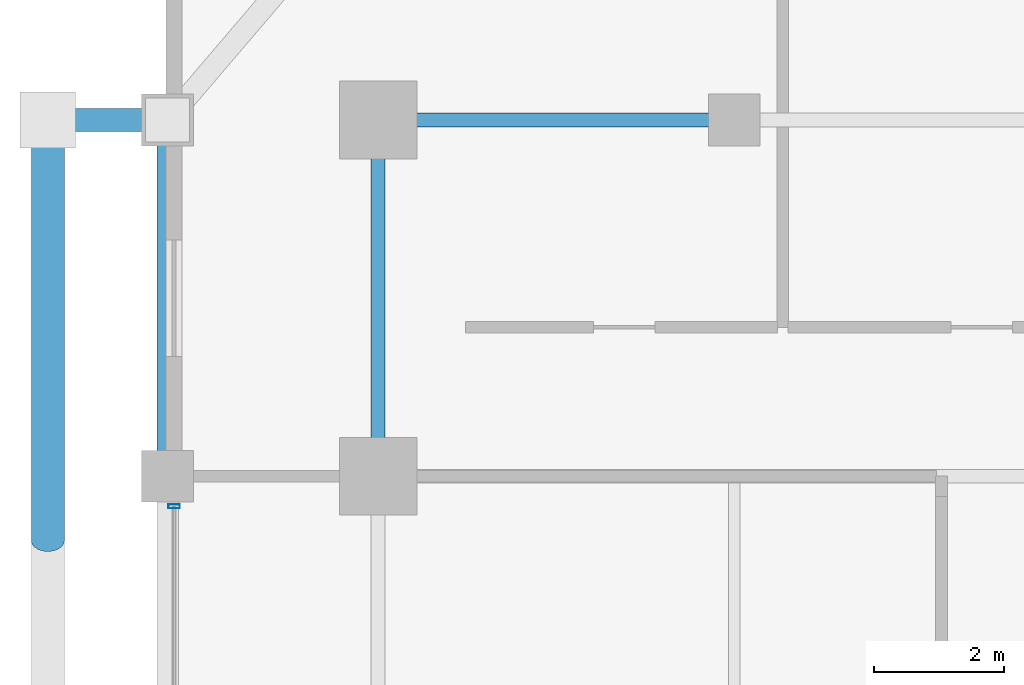
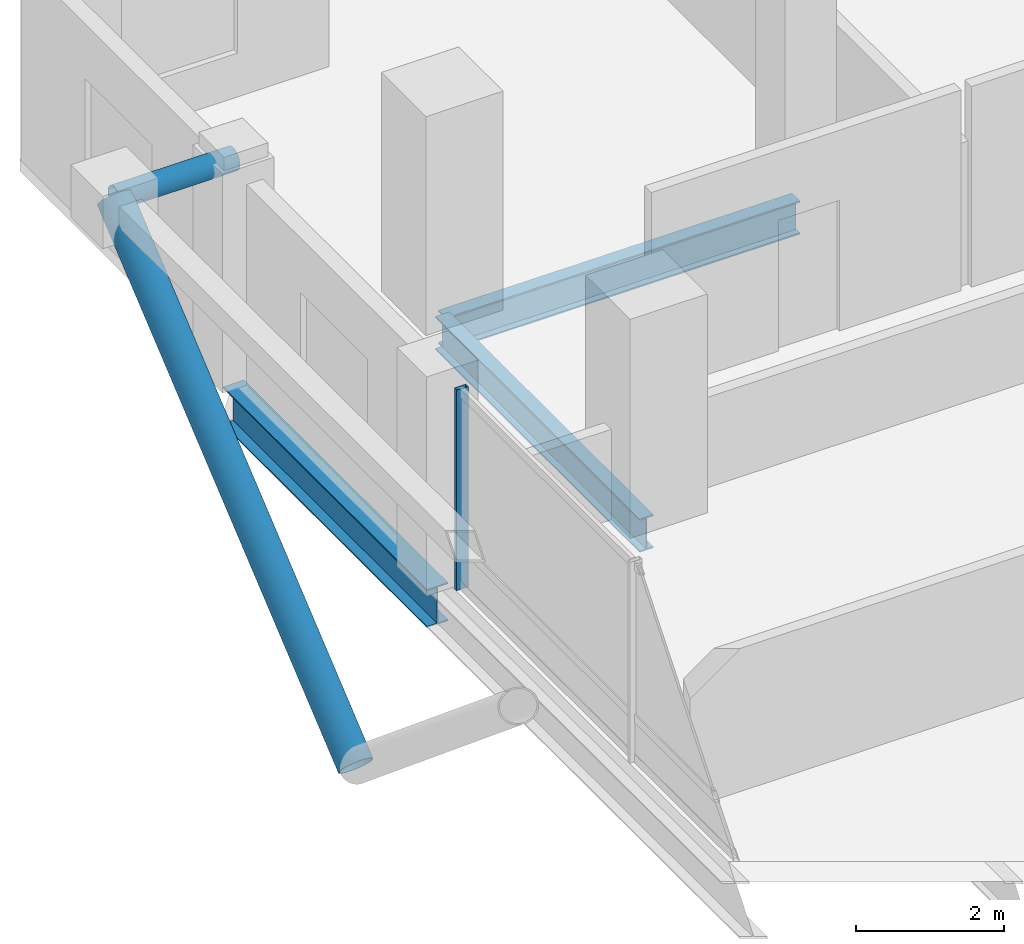
# One storey, part 12 of 25: 3 beams, 3 members, 1 element without a shape of its own.
"""IFC4 building model written with IfcOpenShell, lengths in metres."""

import ifcopenshell
import ifcopenshell.guid

model = None  # the IFC model being written
_history = None  # IfcOwnerHistory: only IFC2X3 demands one
_inside = {}  # id of a spatial element -> (the spatial element, [elements in it])
_under = {}  # id of a project, library or spatial element -> (it, [spatial elements below it])
_declared = {}  # id of a project -> (the project, [libraries it declares])
_typed = {}  # id of a type object -> (the type object, [elements of that type])
_made_of = {}  # id of a material, layer set ... -> (it, [elements and type objects made of it])


def new_model(schema):
    """Start an empty IFC model of exactly this schema.

    Asked for "IFC4X3", IfcOpenShell would pick the latest addendum, in which some entities
    have other attributes; the version numbers below select the first issue.
    IFC2X3 requires an IfcOwnerHistory on every rooted entity: one is made here for all.
    """
    global model, _history
    if schema == "IFC4X3":
        model = ifcopenshell.file(schema_version=(4, 3, 0, 0))
    else:
        model = ifcopenshell.file(schema=schema)
    _inside.clear()
    _under.clear()
    _declared.clear()
    _typed.clear()
    _made_of.clear()
    _history = None
    if model.schema == "IFC2X3":
        org = make("IfcOrganization", Name="unknown")
        user = make(
            "IfcPersonAndOrganization",
            ThePerson=make("IfcPerson", FamilyName="unknown"),
            TheOrganization=org,
        )
        app = make(
            "IfcApplication",
            ApplicationDeveloper=org,
            Version="unknown",
            ApplicationFullName="unknown",
            ApplicationIdentifier="unknown",
        )
        _history = make(
            "IfcOwnerHistory",
            OwningUser=user,
            OwningApplication=app,
            ChangeAction="ADDED",
            CreationDate=0,
        )
    return model


def make(cls, **values):
    """One entity of the class cls with the attributes given. An attribute that is None is left unset."""
    return model.create_entity(
        cls, **{name: value for name, value in values.items() if value is not None}
    )


def rooted(cls, **values):
    """An entity with a GlobalId (a new one), such as an element, a storey or a relation."""
    return make(cls, GlobalId=ifcopenshell.guid.new(), OwnerHistory=_history, **values)


def si_unit(unit_type, name, prefix=None):
    """IfcSIUnit, for example si_unit("LENGTHUNIT", "METRE", prefix="MILLI")."""
    return make("IfcSIUnit", UnitType=unit_type, Prefix=prefix, Name=name)


def assignment(units):
    """IfcUnitAssignment: the units of a project."""
    return None if units is None else make("IfcUnitAssignment", Units=units)


def point(xyz):
    """IfcCartesianPoint."""
    return None if xyz is None else make("IfcCartesianPoint", Coordinates=xyz)


def direction(xyz):
    """IfcDirection."""
    return None if xyz is None else make("IfcDirection", DirectionRatios=xyz)


def frame(location, z_axis=None, x_axis=None):
    """IfcAxis2Placement3D, a coordinate frame: its origin and axes. An axis left out is left unset."""
    return make(
        "IfcAxis2Placement3D",
        Location=point(location),
        Axis=direction(z_axis),
        RefDirection=direction(x_axis),
    )


def frame_2d(location, x_axis=None):
    """IfcAxis2Placement2D, a coordinate frame in the plane: its origin and x axis."""
    return make(
        "IfcAxis2Placement2D", Location=point(location), RefDirection=direction(x_axis)
    )


def origin():
    """The frame at (0, 0, 0) with its axes left unset."""
    return frame((0.0, 0.0, 0.0))


def origin_2d():
    """The frame at (0, 0) in the plane with its x axis left unset."""
    return frame_2d((0.0, 0.0))


def place(relative_to, where):
    """IfcLocalPlacement: puts the frame where relative to a parent placement (None: the world)."""
    return make(
        "IfcLocalPlacement", PlacementRelTo=relative_to, RelativePlacement=where
    )


def context(
    kind, dimensions, precision=None, world=None, true_north=None, identifier=None
):
    """IfcGeometricRepresentationContext, for example the 3D "Model" context."""
    return make(
        "IfcGeometricRepresentationContext",
        ContextIdentifier=identifier,
        ContextType=kind,
        CoordinateSpaceDimension=dimensions,
        Precision=precision,
        WorldCoordinateSystem=world,
        TrueNorth=true_north,
    )


def subcontext(parent, identifier, kind, view, scale=None):
    """IfcGeometricRepresentationSubContext, for example "Body" below "Model"."""
    return make(
        "IfcGeometricRepresentationSubContext",
        ContextIdentifier=identifier,
        ContextType=kind,
        ParentContext=parent,
        TargetScale=scale,
        TargetView=view,
    )


def project(units=None, contexts=None):
    """IfcProject with its units and contexts."""
    return rooted(
        "IfcProject",
        Name="project",
        RepresentationContexts=contexts,
        UnitsInContext=assignment(units),
    )


def spatial(cls, under=None, at=None, **own):
    """A site, building, storey or space (cls), placed at a placement, below another one or the project."""
    s = rooted(cls, ObjectPlacement=at, **own)
    if under is not None:
        _under.setdefault(under.id(), (under, []))[1].append(s)
    return s


def profile(cls, at=None, kind="AREA", **sizes):
    """A parametric profile (cls). Its sizes go by their IFC names, for example OverallWidth=200.0."""
    return make(cls, ProfileType=kind, Position=at, **sizes)


def hollow_rectangle(**sizes):
    """IfcRectangleHollowProfileDef."""
    return profile("IfcRectangleHollowProfileDef", **sizes)


def hollow_circle(**sizes):
    """IfcCircleHollowProfileDef."""
    return profile("IfcCircleHollowProfileDef", **sizes)


def i_section(**sizes):
    """IfcIShapeProfileDef."""
    return profile("IfcIShapeProfileDef", **sizes)


def extrude(swept, where, along, depth):
    """IfcExtrudedAreaSolid: the profile swept, set in the frame where, extruded along a direction by depth."""
    return make(
        "IfcExtrudedAreaSolid",
        SweptArea=swept,
        Position=where,
        ExtrudedDirection=direction(along),
        Depth=depth,
    )


def shape(context_of_items, identifier, shape_type, items):
    """IfcShapeRepresentation: the items that make up one representation, for example the "Body"."""
    return make(
        "IfcShapeRepresentation",
        ContextOfItems=context_of_items,
        RepresentationIdentifier=identifier,
        RepresentationType=shape_type,
        Items=items,
    )


def material(Name=None, Category=None):
    """IfcMaterial."""
    return make("IfcMaterial", Name=Name, Category=Category)


def layer(
    of_material, thickness, ventilated=None, Name=None, Category=None, Priority=None
):
    """IfcMaterialLayer: one layer of a wall or slab, of a material (None: an air gap)."""
    return make(
        "IfcMaterialLayer",
        Material=of_material,
        LayerThickness=thickness,
        IsVentilated=ventilated,
        Name=Name,
        Category=Category,
        Priority=Priority,
    )


def layer_set(layers, Name=None):
    """IfcMaterialLayerSet."""
    return make("IfcMaterialLayerSet", MaterialLayers=layers, LayerSetName=Name)


def material_profile(
    of_material, cross_section, Name=None, Category=None, Priority=None
):
    """IfcMaterialProfile: a cross section and its material."""
    return make(
        "IfcMaterialProfile",
        Name=Name,
        Material=of_material,
        Profile=cross_section,
        Priority=Priority,
        Category=Category,
    )


def profile_set(profiles, Name=None, composite=None):
    """IfcMaterialProfileSet."""
    return make(
        "IfcMaterialProfileSet",
        Name=Name,
        MaterialProfiles=profiles,
        CompositeProfile=composite,
    )


def made_of(thing, what):
    """Note that an element or type object is made of a material, layer set ...; save() writes the relation."""
    if what is not None:
        _made_of.setdefault(what.id(), (what, []))[1].append(thing)
    return thing


def type_object(cls, material=None, **own):
    """A type object (cls), such as IfcWallType, which elements share."""
    return made_of(rooted(cls, **own), material)


def element(
    cls,
    number,
    at=None,
    inside=None,
    cuts=None,
    type_object=None,
    material=None,
    context=None,
    identifier="Body",
    shape_type=None,
    held_by="IfcProductDefinitionShape",
    body=None,
    shapes=None,
    **own,
):
    """One element of the class cls, such as IfcWall. Its Tag is "e" and its number.

    at: its placement. inside: the storey or other place that contains it. cuts: it is an
    opening in that element (IfcRelVoidsElement). A single representation is given by context,
    identifier, shape_type and body (its items); several are given by shapes. held_by: the class
    of the entity that holds the representations. save() writes the other relations.
    """
    e = rooted(cls, Tag="e%d" % number, ObjectPlacement=at, **own)
    if body is not None:
        shapes = [shape(context, identifier, shape_type, body)]
    if shapes is not None:
        e.Representation = make(held_by, Representations=shapes)
    if inside is not None:
        _inside.setdefault(inside.id(), (inside, []))[1].append(e)
    if cuts is not None:
        rooted(
            "IfcRelVoidsElement", RelatingBuildingElement=cuts, RelatedOpeningElement=e
        )
    if type_object is not None:
        _typed.setdefault(type_object.id(), (type_object, []))[1].append(e)
    return made_of(e, material)


def aggregate(whole, parts):
    """IfcRelAggregates: a whole, such as a stair, and the parts it consists of."""
    return rooted("IfcRelAggregates", RelatingObject=whole, RelatedObjects=parts)


def save(model, path):
    """Write the relations noted so far, then the file.

    IfcRelAggregates (storeys below a building ...), IfcRelContainedInSpatialStructure (elements
    in a storey), IfcRelDefinesByType, IfcRelAssociatesMaterial and IfcRelDeclares: one each for
    every whole, place, type object, material and project.
    """
    for whole, parts in _under.values():
        aggregate(whole, parts)
    for where, things in _inside.values():
        rooted(
            "IfcRelContainedInSpatialStructure",
            RelatedElements=things,
            RelatingStructure=where,
        )
    for kind, things in _typed.values():
        rooted("IfcRelDefinesByType", RelatedObjects=things, RelatingType=kind)
    for what, things in _made_of.values():
        rooted("IfcRelAssociatesMaterial", RelatedObjects=things, RelatingMaterial=what)
    for by, libraries in _declared.values():
        rooted("IfcRelDeclares", RelatingContext=by, RelatedDefinitions=libraries)
    model.write(path)


model = new_model("IFC4")

# Units and contexts
model_context = context("Model", 3, precision=1e-05, world=origin(), true_north=direction((0.0, 1.0)))
body_context = subcontext(model_context, "Body", "Model", "MODEL_VIEW")
ifc_project = project(units=[si_unit("LENGTHUNIT", "METRE"), si_unit("AREAUNIT", "SQUARE_METRE"), si_unit("VOLUMEUNIT", "CUBIC_METRE"), si_unit("PLANEANGLEUNIT", "RADIAN"), si_unit("MASSUNIT", "GRAM", prefix="KILO")], contexts=[model_context])

# Site, building, storey
site_placement = place(None, origin())
site = spatial("IfcSite", under=ifc_project, at=site_placement, CompositionType="ELEMENT")
building_placement = place(site_placement, origin())
building = spatial("IfcBuilding", under=site, at=building_placement, Name="Barlavira Tower and Art Museum", CompositionType="ELEMENT")
storey_placement = place(building_placement, frame((0.0, 0.0, 162.0)))
storey = spatial("IfcBuildingStorey", under=building, at=storey_placement, Name="L41", CompositionType="ELEMENT", Elevation=162.0)

# Curtain wall, member
ifc_material_1 = material(Name="Low-iron coastal laminated glass", Category="glass")
ifc_layer = layer(ifc_material_1, 0.18994140625, Name="Low-iron coastal laminated glass")
ifc_layer_set = layer_set([ifc_layer], Name="Low-iron coastal laminated glass")
curtain_wall_type = type_object("IfcCurtainWallType", Name="Pale-Metal Unitised Curtain Wall Zone 2", PredefinedType="NOTDEFINED", material=ifc_layer_set)
curtain_wall_placement = place(storey_placement, origin())
curtain_wall = element("IfcCurtainWall", 1, at=curtain_wall_placement, inside=storey, type_object=curtain_wall_type, Name="L41 Curtain Wall CW2-L41-W-B3", PredefinedType="NOTDEFINED")
ifc_material_2 = material(Name="Pale anodised aluminium", Category="aluminium")
ifc_material_profile_1 = material_profile(ifc_material_2, hollow_rectangle(XDim=0.06494140625, YDim=0.179931640625, WallThickness=0.00390625, at=origin_2d()), Name="ALU-MULL 65x180x4")
ifc_profile_set_1 = profile_set([ifc_material_profile_1], Name="Pale anodised aluminium")
member_type_1 = type_object("IfcMemberType", Name="Curtain Wall Pale-Metal Mullion 65x180", PredefinedType="MULLION", material=ifc_profile_set_1)
member_1_placement = place(storey_placement, frame((-20.14990234375, 7.034912109375, 0.0), z_axis=(0.0, 0.0, 1.0), x_axis=(0.0, -1.0, 0.0)))
member_1 = element("IfcMember", 2, at=member_1_placement, type_object=member_type_1, Name="CW2-L41-W-B3 Mullion 0", PredefinedType="MULLION", context=body_context, shape_type="SweptSolid", body=[
    extrude(hollow_rectangle(XDim=0.06494140625, YDim=0.179931640625, WallThickness=0.00390625, at=origin_2d()), origin(), (0.0, 0.0, 1.0), 3.300048828125),
])
aggregate(curtain_wall, [member_1])

# Members
ifc_material_3 = material(Name="Steel S355", Category="steel")
ifc_material_profile_2 = material_profile(ifc_material_3, hollow_circle(Radius=0.25390625, WallThickness=0.022216796875, at=origin_2d()), Name="CHS 508.0x22.2")
ifc_profile_set_2 = profile_set([ifc_material_profile_2], Name="Steel S355")
member_type_2 = type_object("IfcMemberType", Name="Pale-Metal Exoskeleton Diagrid Tube CHS 508x22 Steel S355", PredefinedType="BRACE", material=ifc_profile_set_2)
member_2_placement = place(storey_placement, frame((-22.10009765625, 6.5, -1.919921875), z_axis=(0.0, 0.769196053329, 0.639012857104), x_axis=(-1.0, 0.0, 0.0)))
element("IfcMember", 3, at=member_2_placement, inside=storey, type_object=member_type_2, Name="L41 Exoskeleton Diagrid Tube W", PredefinedType="BRACE", context=body_context, shape_type="SweptSolid", body=[
    extrude(hollow_circle(Radius=0.25390625, WallThickness=0.022216796875, at=origin_2d()), origin(), (0.0, 0.0, 1.0), 8.450439453125),
])
ifc_material_profile_3 = material_profile(ifc_material_3, hollow_circle(Radius=0.177734375, WallThickness=0.01611328125, at=origin_2d()), Name="CHS 355.6x16.0")
ifc_profile_set_3 = profile_set([ifc_material_profile_3], Name="Steel S355")
member_type_3 = type_object("IfcMemberType", Name="Pale-Metal Exoskeleton Tie Strut CHS 356x16 Steel S355", PredefinedType="STRUT", material=ifc_profile_set_3)
member_3_placement = place(storey_placement, frame((-22.10009765625, 13.0, 3.47998046875), z_axis=(1.0, 0.0, 0.0), x_axis=(0.0, 1.0, 0.0)))
element("IfcMember", 4, at=member_3_placement, inside=storey, type_object=member_type_3, Name="L41 Exoskeleton Top Tie Strut W3", PredefinedType="STRUT", context=body_context, shape_type="SweptSolid", body=[
    extrude(hollow_circle(Radius=0.177734375, WallThickness=0.01611328125, at=origin_2d()), origin(), (0.0, 0.0, 1.0), 1.85009765625),
])

# Beams
ifc_material_profile_4 = material_profile(ifc_material_3, i_section(OverallWidth=0.327880859375, OverallDepth=0.62890625, WebThickness=0.013916015625, FlangeThickness=0.021484375, at=origin_2d()), Name="W610x174.0")
ifc_profile_set_4 = profile_set([ifc_material_profile_4], Name="Steel S355")
beam_type_1 = type_object("IfcBeamType", Name="Perimeter Spandrel Edge Beam W610x174 Steel S355", PredefinedType="SPANDREL", material=ifc_profile_set_4)
beam_placement = place(storey_placement, frame((-20.25, 7.5, -0.534423828125), z_axis=(0.0, 1.0, 0.0), x_axis=(-1.0, 0.0, 0.0)))
element("IfcBeam", 5, at=beam_placement, inside=storey, type_object=beam_type_1, Name="L41 Spandrel 13", PredefinedType="SPANDREL", context=body_context, shape_type="SweptSolid", body=[
    extrude(i_section(OverallWidth=0.327880859375, OverallDepth=0.62890625, WebThickness=0.013916015625, FlangeThickness=0.021484375, at=origin_2d()), origin(), (0.0, 0.0, 1.0), 5.5),
])
ifc_material_profile_5 = material_profile(ifc_material_3, i_section(OverallWidth=0.214111328125, OverallDepth=0.549072265625, WebThickness=0.0146484375, FlangeThickness=0.023681640625, at=origin_2d()), Name="W530x138.0")
ifc_profile_set_5 = profile_set([ifc_material_profile_5], Name="Steel S355")
beam_type_2 = type_object("IfcBeamType", Name="Zone 1 Primary Floor Girder W530x138 Steel S355", PredefinedType="BEAM", material=ifc_profile_set_5)
for number, where, z_axis, x_axis, name in (
    (6, (-17.0, 7.5, -0.494384765625), (0.0, 1.0, 0.0), (-1.0, 0.0, 0.0), "L41 Girder M-W3"),
    (7, (-17.0, 13.0, -0.494384765625), (1.0, 0.0, 0.0), (0.0, 1.0, 0.0), "L41 Girder I-N1"),
):
    element("IfcBeam", number, at=place(storey_placement, frame(where, z_axis=z_axis, x_axis=x_axis)), inside=storey, type_object=beam_type_2, Name=name, PredefinedType="BEAM", context=body_context, shape_type="SweptSolid", body=[
        extrude(i_section(OverallWidth=0.214111328125, OverallDepth=0.549072265625, WebThickness=0.0146484375, FlangeThickness=0.023681640625, at=origin_2d()), origin(), (0.0, 0.0, 1.0), 5.5),
    ])

save(model, "model.ifc")
